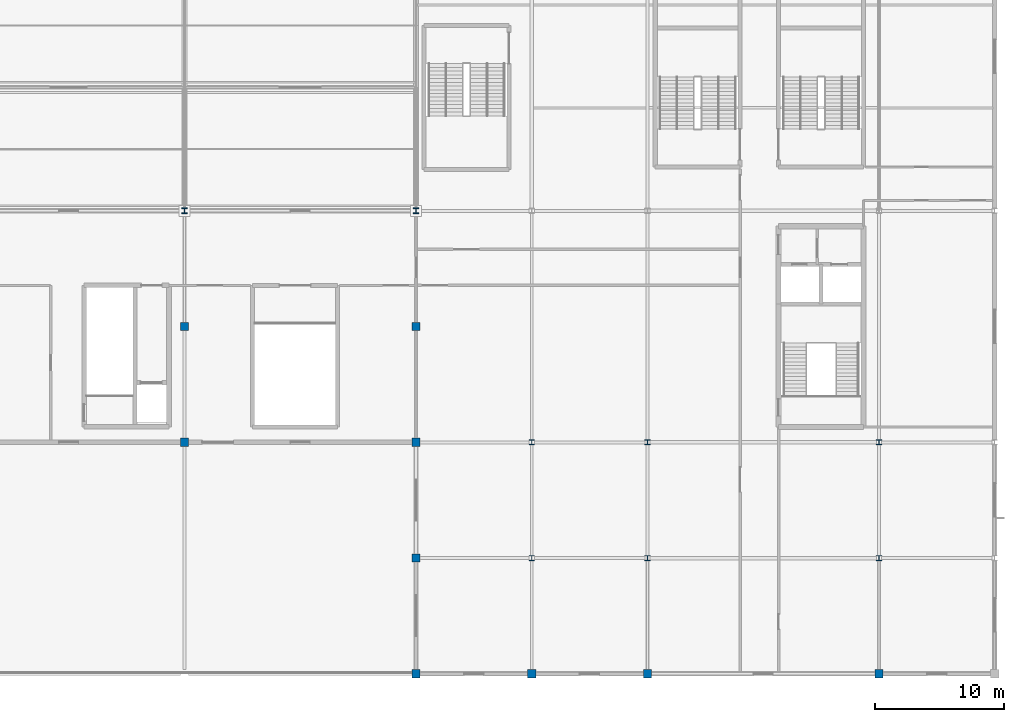
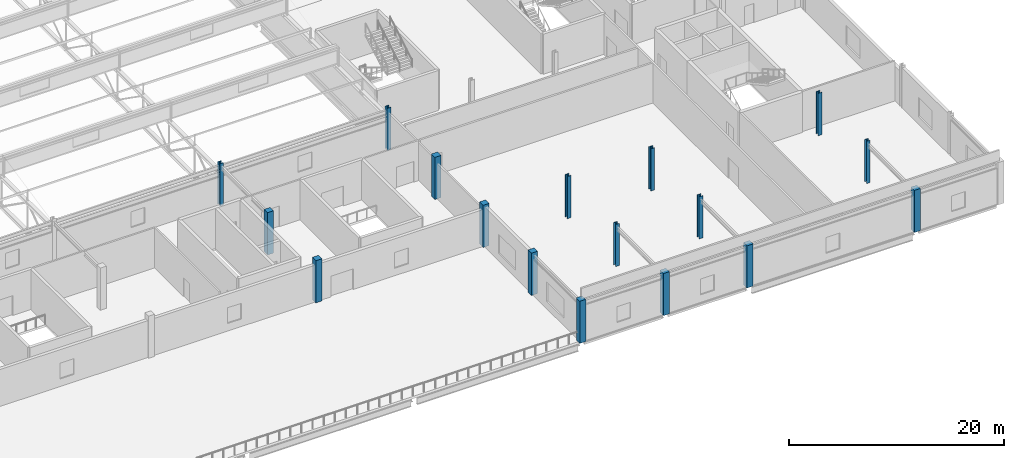
# One storey, part 7 of 136: 17 columns.
"""IFC4 building model written with IfcOpenShell, lengths in metres."""

from ifc_helpers import new_model, si_unit, direction, frame, origin, origin_2d, place, context, subcontext, project, spatial, rectangle, i_section, extrude, material, material_profile, profile_set, type_object, element, save


model = new_model("IFC4")

# Units and contexts
model_context = context("Model", 3, precision=1e-05, world=origin(), true_north=direction((0.0, 1.0)))
body_context = subcontext(model_context, "Body", "Model", "MODEL_VIEW")
ifc_project = project(units=[si_unit("LENGTHUNIT", "METRE"), si_unit("AREAUNIT", "SQUARE_METRE"), si_unit("VOLUMEUNIT", "CUBIC_METRE"), si_unit("PLANEANGLEUNIT", "RADIAN"), si_unit("MASSUNIT", "GRAM", prefix="KILO")], contexts=[model_context])

# Site, building, storey
site_placement = place(None, origin())
site = spatial("IfcSite", under=ifc_project, at=site_placement, CompositionType="ELEMENT")
building_placement = place(site_placement, origin())
building = spatial("IfcBuilding", under=site, at=building_placement, Name="Kisiwana Market Hall", CompositionType="ELEMENT")
storey_placement = place(building_placement, frame((0.0, 0.0, 16.800048828125)))
storey = spatial("IfcBuildingStorey", under=building, at=storey_placement, Name="L03", CompositionType="ELEMENT", Elevation=16.800048828125)

# Columns
ifc_material_1 = material(Name="Concrete C40/50", Category="concrete")
ifc_material_profile_1 = material_profile(ifc_material_1, rectangle(XDim=0.64990234375, YDim=0.64990234375, at=origin_2d()), Name="RC 650x650")
ifc_profile_set_1 = profile_set([ifc_material_profile_1], Name="Concrete C40/50")
column_type_1 = type_object("IfcColumnType", Name="COL-RC-POD-650", PredefinedType="COLUMN", material=ifc_profile_set_1)
for number, where, z_axis, x_axis, name in (
    (1, (135.0, 18.0, 0.0), (0.0, 0.0, 1.0), (1.0, 0.0, 0.0), "Column C/16 (L03) C-0733"),
    (2, (135.0, 27.0, 0.0), (0.0, 0.0, 1.0), (1.0, 0.0, 0.0), "Column D/16 (L03) C-0734"),
    (3, (153.0, 0.0, 0.0), (0.0, 0.0, 1.0), (1.0, 0.0, 0.0), "Column A/18 (L03) C-0739"),
    (4, (153.0, 9.0, 0.0), (0.0, 0.0, 1.0), (1.0, 0.0, 0.0), "Column B/18 (L03) C-0740"),
    (5, (153.0, 18.0, 0.0), (0.0, 0.0, 1.0), (1.0, 0.0, 0.0), "Column C/18 (L03) C-0741"),
    (6, (153.0, 27.0, 0.0), (0.0, 0.0, 1.0), (1.0, 0.0, 0.0), "Column D/18 (L03) C-0742"),
    (7, (162.0, 0.0, 0.0), (0.0, 0.0, 1.0), (1.0, 0.0, 0.0), "Column A/19 (L03) C-0750"),
    (8, (171.0, 0.0, 0.0), (0.0, 0.0, 1.0), (1.0, 0.0, 0.0), "Column A/20 (L03) C-0758"),
    (9, (189.0, 0.0, 0.0), (0.0, 0.0, 1.0), (1.0, 0.0, 0.0), "Column A/22 (L03) C-0767"),
):
    element("IfcColumn", number, at=place(storey_placement, frame(where, z_axis=z_axis, x_axis=x_axis)), inside=storey, type_object=column_type_1, Name=name, PredefinedType="COLUMN", context=body_context, shape_type="SweptSolid", body=[
        extrude(rectangle(XDim=0.64990234375, YDim=0.64990234375, at=origin_2d()), origin(), (0.0, 0.0, 1.0), 4.800048828125),
    ])
ifc_material_2 = material(Name="Steel S355", Category="steel")
ifc_material_profile_2 = material_profile(ifc_material_2, i_section(OverallWidth=0.406005859375, OverallDepth=0.416015625, WebThickness=0.02978515625, FlangeThickness=0.048095703125, at=origin_2d()), Name="HD 400x382")
ifc_profile_set_2 = profile_set([ifc_material_profile_2], Name="Steel S355")
column_type_2 = type_object("IfcColumnType", Name="COL-STL-HD382", PredefinedType="COLUMN", material=ifc_profile_set_2)
for number, where, z_axis, x_axis, name in (
    (10, (162.0, 18.0, 0.0), (0.0, 0.0, 1.0), (1.0, 0.0, 0.0), "Column C/19 (L03) C-0752"),
    (11, (171.0, 18.0, 0.0), (0.0, 0.0, 1.0), (1.0, 0.0, 0.0), "Column C/20 (L03) C-0760"),
    (12, (189.0, 18.0, 0.0), (0.0, 0.0, 1.0), (1.0, 0.0, 0.0), "Column C/22 (L03) C-0769"),
):
    element("IfcColumn", number, at=place(storey_placement, frame(where, z_axis=z_axis, x_axis=x_axis)), inside=storey, type_object=column_type_2, Name=name, PredefinedType="COLUMN", context=body_context, shape_type="SweptSolid", body=[
        extrude(i_section(OverallWidth=0.406005859375, OverallDepth=0.416015625, WebThickness=0.02978515625, FlangeThickness=0.048095703125, at=origin_2d()), origin(), (0.0, 0.0, 1.0), 4.800048828125),
    ])
ifc_material_3 = material(Name="Steel S355", Category="steel")
ifc_material_profile_3 = material_profile(ifc_material_3, i_section(OverallWidth=0.412109375, OverallDepth=0.43505859375, WebThickness=0.035888671875, FlangeThickness=0.05810546875, at=origin_2d()), Name="HD 400x463")
ifc_profile_set_3 = profile_set([ifc_material_profile_3], Name="Steel S355")
column_type_3 = type_object("IfcColumnType", Name="COL-STL-HD463", PredefinedType="COLUMN", material=ifc_profile_set_3)
for number, where, z_axis, x_axis, name in (
    (13, (135.0, 36.0, 0.0), (0.0, 0.0, 1.0), (1.0, 0.0, 0.0), "Column E/16 (L03) C-0735"),
    (14, (153.0, 36.0, 0.0), (0.0, 0.0, 1.0), (1.0, 0.0, 0.0), "Column E/18 (L03) C-0743"),
):
    element("IfcColumn", number, at=place(storey_placement, frame(where, z_axis=z_axis, x_axis=x_axis)), inside=storey, type_object=column_type_3, Name=name, PredefinedType="COLUMN", context=body_context, shape_type="SweptSolid", body=[
        extrude(i_section(OverallWidth=0.412109375, OverallDepth=0.43505859375, WebThickness=0.035888671875, FlangeThickness=0.05810546875, at=origin_2d()), origin(), (0.0, 0.0, 1.0), 4.800048828125),
    ])
ifc_material_4 = material(Name="Steel S355", Category="steel")
ifc_material_profile_4 = material_profile(ifc_material_4, i_section(OverallWidth=0.39892578125, OverallDepth=0.3935546875, WebThickness=0.022705078125, FlangeThickness=0.03662109375, at=origin_2d()), Name="UC 356x406x287")
ifc_profile_set_4 = profile_set([ifc_material_profile_4], Name="Steel S355")
column_type_4 = type_object("IfcColumnType", Name="COL-STL-UC287", PredefinedType="COLUMN", material=ifc_profile_set_4)
for number, where, z_axis, x_axis, name in (
    (15, (162.0, 9.0, 0.0), (0.0, 0.0, 1.0), (1.0, 0.0, 0.0), "Column B/19 (L03) C-0751"),
    (16, (171.0, 9.0, 0.0), (0.0, 0.0, 1.0), (1.0, 0.0, 0.0), "Column B/20 (L03) C-0759"),
    (17, (189.0, 9.0, 0.0), (0.0, 0.0, 1.0), (1.0, 0.0, 0.0), "Column B/22 (L03) C-0768"),
):
    element("IfcColumn", number, at=place(storey_placement, frame(where, z_axis=z_axis, x_axis=x_axis)), inside=storey, type_object=column_type_4, Name=name, PredefinedType="COLUMN", context=body_context, shape_type="SweptSolid", body=[
        extrude(i_section(OverallWidth=0.39892578125, OverallDepth=0.3935546875, WebThickness=0.022705078125, FlangeThickness=0.03662109375, at=origin_2d()), origin(), (0.0, 0.0, 1.0), 4.800048828125),
    ])

save(model, "model.ifc")
